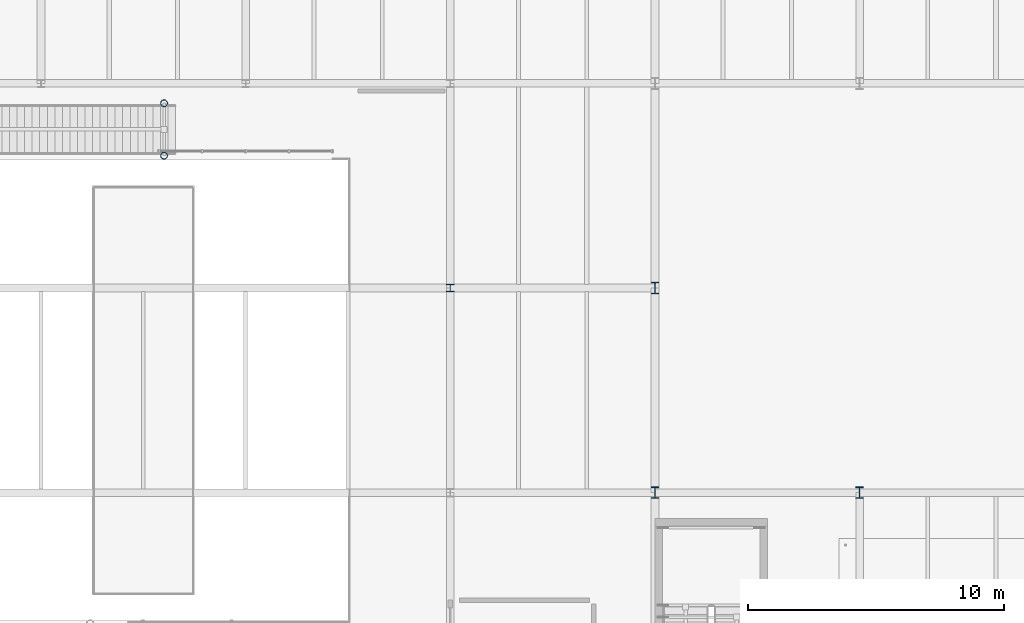
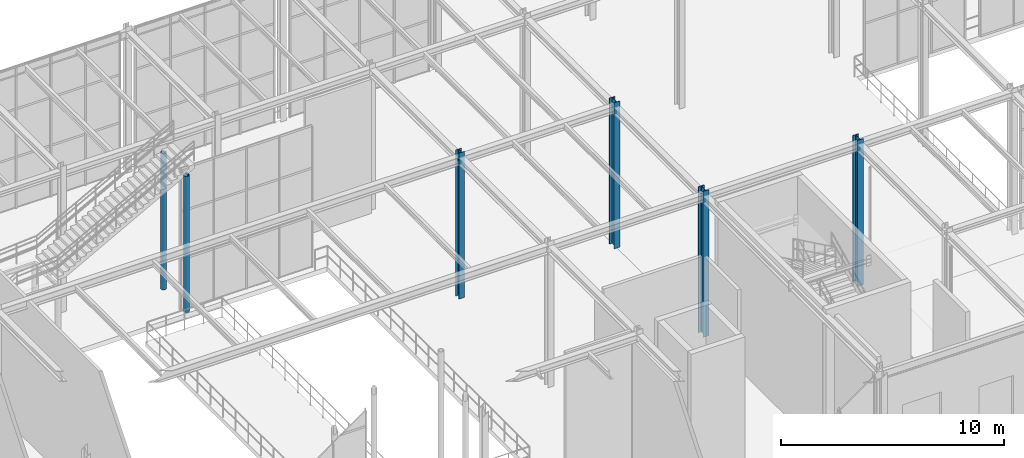
# One storey, part 4 of 138: 6 columns.
"""IFC4 building model written with IfcOpenShell, lengths in metres."""

from ifc_helpers import new_model, si_unit, direction, frame, origin, origin_2d, place, context, subcontext, project, spatial, hollow_circle, i_section, extrude, material, material_profile, profile_set, type_object, element, save


model = new_model("IFC4")

# Units and contexts
model_context = context("Model", 3, precision=1e-05, world=origin(), true_north=direction((0.0, 1.0)))
body_context = subcontext(model_context, "Body", "Model", "MODEL_VIEW")
ifc_project = project(units=[si_unit("LENGTHUNIT", "METRE"), si_unit("AREAUNIT", "SQUARE_METRE"), si_unit("VOLUMEUNIT", "CUBIC_METRE"), si_unit("PLANEANGLEUNIT", "RADIAN"), si_unit("MASSUNIT", "GRAM", prefix="KILO")], contexts=[model_context])

# Site, building, storey
site_placement = place(None, origin())
site = spatial("IfcSite", under=ifc_project, at=site_placement, CompositionType="ELEMENT")
building_placement = place(site_placement, origin())
building = spatial("IfcBuilding", under=site, at=building_placement, Name="Sundkrona Museum", CompositionType="ELEMENT")
storey_placement = place(building_placement, frame((0.0, 0.0, 9.60009765625)))
storey = spatial("IfcBuildingStorey", under=building, at=storey_placement, Name="L02", CompositionType="ELEMENT", Elevation=9.60009765625)

# Columns
ifc_material = material(Name="Steel S355J2", Category="steel")
ifc_material_profile_1 = material_profile(ifc_material, hollow_circle(Radius=0.136474609375, WallThickness=0.012451171875, at=origin_2d()), Name="CHS 273.0x12.5")
ifc_profile_set_1 = profile_set([ifc_material_profile_1], Name="Steel S355J2")
column_type_1 = type_object("IfcColumnType", Name="C-CHS273", PredefinedType="COLUMN", material=ifc_profile_set_1)
for number, where, z_axis, x_axis, name in (
    (1, (100.81005859375, 29.175048828125, 0.0), (0.0, 0.0, 1.0), (1.0, 0.0, 0.0), "L02 Feature Stair FS-3 Column S3-1"),
    (2, (100.81005859375, 31.22509765625, 0.0), (0.0, 0.0, 1.0), (1.0, 0.0, 0.0), "L02 Feature Stair FS-3 Column S3-2"),
):
    element("IfcColumn", number, at=place(storey_placement, frame(where, z_axis=z_axis, x_axis=x_axis)), inside=storey, type_object=column_type_1, Name=name, PredefinedType="COLUMN", context=body_context, shape_type="SweptSolid", body=[
        extrude(hollow_circle(Radius=0.136474609375, WallThickness=0.012451171875, at=origin_2d()), origin(), (0.0, 0.0, 1.0), 7.4599609375),
    ])
ifc_material_profile_2 = material_profile(ifc_material, i_section(OverallWidth=0.300048828125, OverallDepth=0.300048828125, WebThickness=0.010986328125, FlangeThickness=0.01904296875, FilletRadius=0.027099609375, at=origin_2d()), Name="HEB 300")
ifc_profile_set_2 = profile_set([ifc_material_profile_2], Name="Steel S355J2")
column_type_2 = type_object("IfcColumnType", Name="C-HEB300", PredefinedType="COLUMN", material=ifc_profile_set_2)
column_placement = place(storey_placement, frame((112.0, 24.0, 0.0), z_axis=(0.0, 0.0, 1.0), x_axis=(1.0, 0.0, 0.0)))
element("IfcColumn", 3, at=column_placement, inside=storey, type_object=column_type_2, Name="L02 Column D/15", PredefinedType="COLUMN", context=body_context, shape_type="SweptSolid", body=[
    extrude(i_section(OverallWidth=0.300048828125, OverallDepth=0.300048828125, WebThickness=0.010986328125, FlangeThickness=0.01904296875, FilletRadius=0.027099609375, at=origin_2d()), origin(), (0.0, 0.0, 1.0), 8.0),
])
ifc_material_profile_3 = material_profile(ifc_material, i_section(OverallWidth=0.300048828125, OverallDepth=0.449951171875, WebThickness=0.013916015625, FlangeThickness=0.02587890625, FilletRadius=0.027099609375, at=origin_2d()), Name="HEB 450")
ifc_profile_set_3 = profile_set([ifc_material_profile_3], Name="Steel S355J2")
column_type_3 = type_object("IfcColumnType", Name="C-HEB450", PredefinedType="COLUMN", material=ifc_profile_set_3)
for number, where, z_axis, x_axis, name in (
    (4, (120.0, 16.0, 0.0), (0.0, 0.0, 1.0), (1.0, 0.0, 0.0), "L02 Column C/16"),
    (5, (120.0, 24.0, 0.0), (0.0, 0.0, 1.0), (1.0, 0.0, 0.0), "L02 Column D/16"),
    (6, (128.0, 16.0, 0.0), (0.0, 0.0, 1.0), (1.0, 0.0, 0.0), "L02 Column C/17"),
):
    element("IfcColumn", number, at=place(storey_placement, frame(where, z_axis=z_axis, x_axis=x_axis)), inside=storey, type_object=column_type_3, Name=name, PredefinedType="COLUMN", context=body_context, shape_type="SweptSolid", body=[
        extrude(i_section(OverallWidth=0.300048828125, OverallDepth=0.449951171875, WebThickness=0.013916015625, FlangeThickness=0.02587890625, FilletRadius=0.027099609375, at=origin_2d()), origin(), (0.0, 0.0, 1.0), 8.0),
    ])

save(model, "model.ifc")
